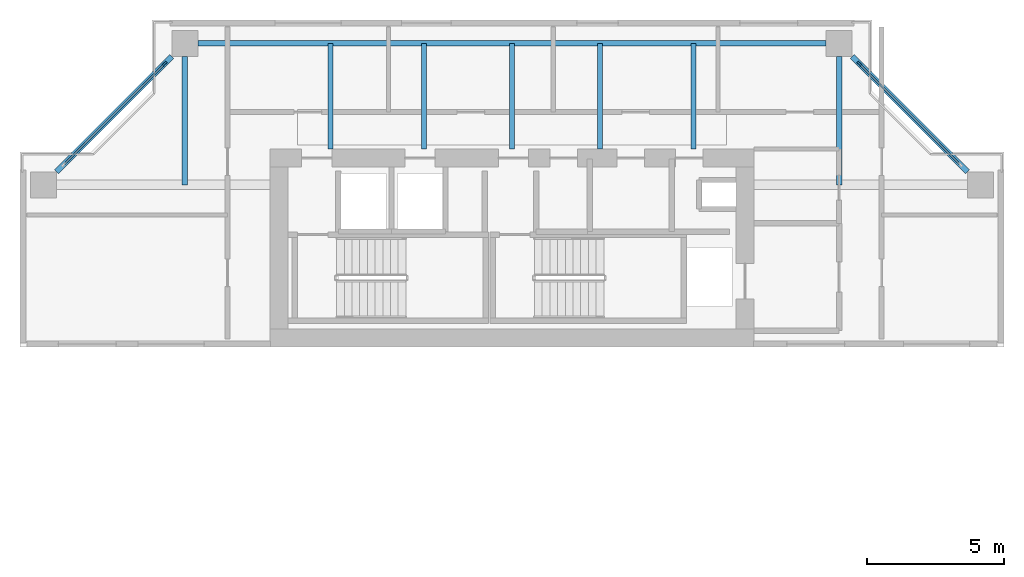
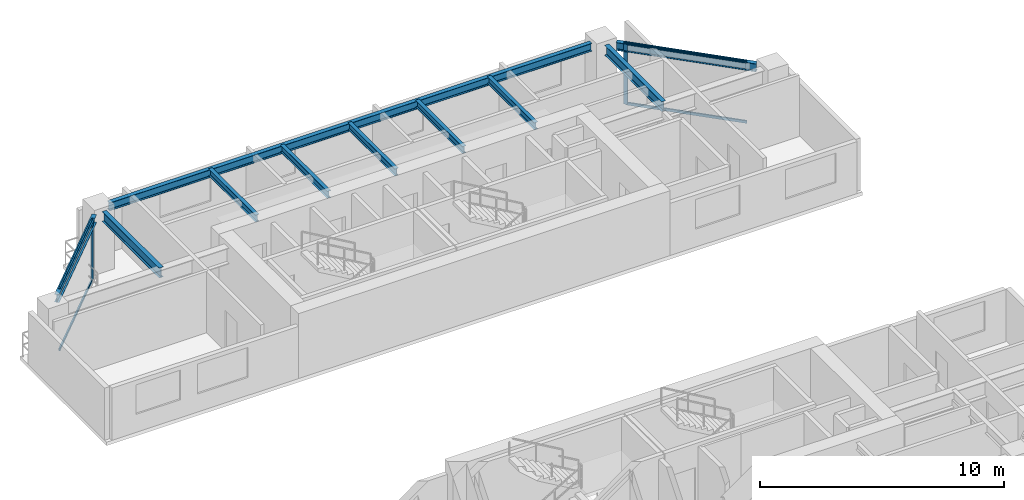
# One storey, part 5 of 12: 10 beams, 6 members, 2 elements without a shape of their own.
"""IFC4 building model written with IfcOpenShell, lengths in metres."""

from ifc_helpers import new_model, si_unit, direction, frame, origin, origin_2d, place, context, subcontext, project, spatial, rectangle, i_section, extrude, source, transform, mapped, material, layer, layer_set, material_profile, profile_set, type_object, element, aggregate, save


model = new_model("IFC4")

# Units and contexts
model_context = context("Model", 3, precision=1e-05, world=origin(), true_north=direction((0.0, 1.0)))
body_context = subcontext(model_context, "Body", "Model", "MODEL_VIEW")
ifc_project = project(units=[si_unit("LENGTHUNIT", "METRE"), si_unit("AREAUNIT", "SQUARE_METRE"), si_unit("VOLUMEUNIT", "CUBIC_METRE"), si_unit("PLANEANGLEUNIT", "RADIAN"), si_unit("MASSUNIT", "GRAM", prefix="KILO"), si_unit("THERMODYNAMICTEMPERATUREUNIT", "KELVIN"), si_unit("POWERUNIT", "WATT")], contexts=[model_context])

# Site, building, storey
site_placement = place(None, origin())
site = spatial("IfcSite", under=ifc_project, at=site_placement, CompositionType="ELEMENT")
building_placement = place(site_placement, origin())
building = spatial("IfcBuilding", under=site, at=building_placement, Name="Qiaomeng Ring Towers", CompositionType="ELEMENT")
storey_placement = place(building_placement, frame((0.0, 0.0, 166.5)))
storey = spatial("IfcBuildingStorey", under=building, at=storey_placement, Name="L48", CompositionType="ELEMENT", Elevation=166.5)

# Beams
ifc_material_1 = material(Name="Steel Q355B", Category="steel")
ifc_material_profile_1 = material_profile(ifc_material_1, i_section(OverallWidth=0.175048828125, OverallDepth=0.35009765625, WebThickness=0.007080078125, FlangeThickness=0.010986328125, FilletRadius=0.013916015625, at=origin_2d()), Name="HN 350x175x7x11")
ifc_profile_set_1 = profile_set([ifc_material_profile_1], Name="Steel Q355B")
beam_type_1 = type_object("IfcBeamType", Name="STR-BM-HN350", PredefinedType="JOIST", material=ifc_profile_set_1)
shared_shape_1 = source(origin(), body_context, "Body", "SweptSolid", [
    extrude(i_section(OverallWidth=0.175048828125, OverallDepth=0.35009765625, WebThickness=0.007080078125, FlangeThickness=0.010986328125, FilletRadius=0.013916015625, at=origin_2d()), origin(), (0.0, 0.0, 1.0), 3.85009765625),
])
for number, where, z_axis, x_axis, name in (
    (1, (12.39990234375, 36.199951171875, 2.89501953125), (0.0, 1.0, 0.0), (-1.0, 0.0, 0.0), "L48 beam STR-JST-L48-T1N-1"),
    (2, (15.800048828125, 36.199951171875, 2.89501953125), (0.0, 1.0, 0.0), (-1.0, 0.0, 0.0), "L48 beam STR-JST-L48-T1N-2"),
    (3, (19.0, 36.199951171875, 2.89501953125), (0.0, 1.0, 0.0), (-1.0, 0.0, 0.0), "L48 beam STR-JST-L48-T1N-3"),
    (4, (22.199951171875, 36.199951171875, 2.89501953125), (0.0, 1.0, 0.0), (-1.0, 0.0, 0.0), "L48 beam STR-JST-L48-T1N-4"),
    (5, (25.60009765625, 36.199951171875, 2.89501953125), (0.0, 1.0, 0.0), (-1.0, 0.0, 0.0), "L48 beam STR-JST-L48-T1N-5"),
):
    element("IfcBeam", number, at=place(storey_placement, frame(where, z_axis=z_axis, x_axis=x_axis)), inside=storey, type_object=beam_type_1, Name=name, PredefinedType="JOIST", context=body_context, shape_type="MappedRepresentation", body=[
        mapped(shared_shape_1, transform((0.0, 0.0, 0.0), x_axis=(1.0, 0.0, 0.0), y_axis=(0.0, 1.0, 0.0), z_axis=(0.0, 0.0, 1.0), scale=1.0)),
    ])
ifc_material_profile_2 = material_profile(ifc_material_1, i_section(OverallWidth=0.199951171875, OverallDepth=0.39990234375, WebThickness=0.008056640625, FlangeThickness=0.012939453125, FilletRadius=0.01611328125, at=origin_2d()), Name="HN 400x200x8x13")
ifc_profile_set_2 = profile_set([ifc_material_profile_2], Name="Steel Q355B")
beam_type_2 = type_object("IfcBeamType", Name="STR-BM-HN400", PredefinedType="SPANDREL", material=ifc_profile_set_2)
shared_shape_2 = source(origin(), body_context, "Body", "SweptSolid", [
    extrude(i_section(OverallWidth=0.199951171875, OverallDepth=0.39990234375, WebThickness=0.008056640625, FlangeThickness=0.012939453125, FilletRadius=0.01611328125, at=origin_2d()), origin(), (0.0, 0.0, 1.0), 22.85205078125),
])
beam_placement = place(storey_placement, frame((30.426025390625, 40.050048828125, 2.8701171875), z_axis=(-1.0, 0.0, 0.0), x_axis=(0.0, -1.0, 0.0)))
element("IfcBeam", 6, at=beam_placement, inside=storey, type_object=beam_type_2, Name="L48 beam STR-SP-L48-T1-N2-N1", PredefinedType="SPANDREL", context=body_context, shape_type="MappedRepresentation", body=[
    mapped(shared_shape_2, transform((0.0, 0.0, 0.0), x_axis=(1.0, 0.0, 0.0), y_axis=(0.0, 1.0, 0.0), z_axis=(0.0, 0.0, 1.0), scale=1.0)),
])
shared_shape_3 = source(origin(), body_context, "Body", "SweptSolid", [
    extrude(i_section(OverallWidth=0.199951171875, OverallDepth=0.39990234375, WebThickness=0.008056640625, FlangeThickness=0.012939453125, FilletRadius=0.01611328125, at=origin_2d()), origin(), (0.0, 0.0, 1.0), 5.941650390625),
])
for number, where, z_axis, x_axis, name in (
    (7, (35.57568359375, 35.374267578125, 2.8701171875), (-0.707106781187, 0.707106781187, 0.0), (-0.707106781187, -0.707106781187, 0.0), "L48 beam STR-SP-L48-T1-E4-N2"),
    (8, (6.625732421875, 39.57568359375, 2.8701171875), (-0.707106781187, -0.707106781187, 0.0), (0.707106781187, -0.707106781187, 0.0), "L48 beam STR-SP-L48-T1-N1-W4"),
):
    element("IfcBeam", number, at=place(storey_placement, frame(where, z_axis=z_axis, x_axis=x_axis)), inside=storey, type_object=beam_type_2, Name=name, PredefinedType="SPANDREL", context=body_context, shape_type="MappedRepresentation", body=[
        mapped(shared_shape_3, transform((0.0, 0.0, 0.0), x_axis=(1.0, 0.0, 0.0), y_axis=(0.0, 1.0, 0.0), z_axis=(0.0, 0.0, 1.0), scale=1.0)),
    ])
ifc_material_profile_3 = material_profile(ifc_material_1, i_section(OverallWidth=0.199951171875, OverallDepth=0.5, WebThickness=0.010009765625, FlangeThickness=0.01611328125, FilletRadius=0.02001953125, at=origin_2d()), Name="HN 500x200x10x16")
ifc_profile_set_3 = profile_set([ifc_material_profile_3], Name="Steel Q355B")
beam_type_3 = type_object("IfcBeamType", Name="STR-BM-HN500", PredefinedType="BEAM", material=ifc_profile_set_3)
shared_shape_4 = source(origin(), body_context, "Body", "SweptSolid", [
    extrude(i_section(OverallWidth=0.199951171875, OverallDepth=0.5, WebThickness=0.010009765625, FlangeThickness=0.01611328125, FilletRadius=0.02001953125, at=origin_2d()), origin(), (0.0, 0.0, 1.0), 4.676025390625),
])
for number, where, z_axis, x_axis, name in (
    (9, (7.10009765625, 39.575927734375, 2.820068359375), (0.0, -1.0, 0.0), (1.0, 0.0, 0.0), "L48 beam STR-BM-L48-T1-RAD-N1"),
    (10, (30.89990234375, 39.575927734375, 2.820068359375), (0.0, -1.0, 0.0), (1.0, 0.0, 0.0), "L48 beam STR-BM-L48-T1-RAD-N2"),
):
    element("IfcBeam", number, at=place(storey_placement, frame(where, z_axis=z_axis, x_axis=x_axis)), inside=storey, type_object=beam_type_3, Name=name, PredefinedType="BEAM", context=body_context, shape_type="MappedRepresentation", body=[
        mapped(shared_shape_4, transform((0.0, 0.0, 0.0), x_axis=(1.0, 0.0, 0.0), y_axis=(0.0, 1.0, 0.0), z_axis=(0.0, 0.0, 1.0), scale=1.0)),
    ])

# Curtain wall, member
ifc_material_2 = material(Name="Fluorocarbon dark-grey aluminium", Category="aluminium")
ifc_layer = layer(ifc_material_2, 0.14990234375, Name="Fluorocarbon dark-grey aluminium")
ifc_layer_set = layer_set([ifc_layer], Name="Fluorocarbon dark-grey aluminium")
curtain_wall_type = type_object("IfcCurtainWallType", Name="ARC-CW-3", PredefinedType="NOTDEFINED", material=ifc_layer_set)
curtain_wall_1_placement = place(storey_placement, origin())
curtain_wall_1 = element("IfcCurtainWall", 11, at=curtain_wall_1_placement, inside=storey, type_object=curtain_wall_type, Name="L48 Curtain Wall CW3", PredefinedType="NOTDEFINED")
ifc_material_profile_4 = material_profile(ifc_material_2, rectangle(XDim=0.070068359375, YDim=0.179931640625, at=origin_2d()), Name="ALU MULL 70x180")
ifc_profile_set_4 = profile_set([ifc_material_profile_4], Name="Fluorocarbon dark-grey aluminium")
member_type_1 = type_object("IfcMemberType", Name="ARC-CWM-160", PredefinedType="MULLION", material=ifc_profile_set_4)
shared_shape_5 = source(origin(), body_context, "Body", "SweptSolid", [
    extrude(rectangle(XDim=0.070068359375, YDim=0.179931640625, at=origin_2d()), origin(), (0.0, 0.0, 1.0), 3.070068359375),
])
member_1_placement = place(storey_placement, frame((31.6396484375, 39.310302734375, 0.0), z_axis=(0.0, 0.0, 1.0), x_axis=(-0.707106781187, -0.707106781187, 0.0)))
member_1 = element("IfcMember", 12, at=member_1_placement, type_object=member_type_1, Name="CW3 mullion 2", PredefinedType="MULLION", context=body_context, shape_type="MappedRepresentation", body=[
    mapped(shared_shape_5, transform((0.0, 0.0, 0.0), x_axis=(1.0, 0.0, 0.0), y_axis=(0.0, 1.0, 0.0), z_axis=(0.0, 0.0, 1.0), scale=1.0)),
])

curtain_wall_2_placement = place(storey_placement, origin())
curtain_wall_2 = element("IfcCurtainWall", 13, at=curtain_wall_2_placement, inside=storey, type_object=curtain_wall_type, Name="L48 Curtain Wall CW3", PredefinedType="NOTDEFINED")
member_2_placement = place(storey_placement, frame((6.3603515625, 39.310302734375, 0.0), z_axis=(0.0, 0.0, 1.0), x_axis=(0.707106781187, -0.707106781187, 0.0)))
member_2 = element("IfcMember", 14, at=member_2_placement, type_object=member_type_1, Name="CW3 mullion 1", PredefinedType="MULLION", context=body_context, shape_type="MappedRepresentation", body=[
    mapped(shared_shape_5, transform((0.0, 0.0, 0.0), x_axis=(1.0, 0.0, 0.0), y_axis=(0.0, 1.0, 0.0), z_axis=(0.0, 0.0, 1.0), scale=1.0)),
])

# Member
ifc_material_profile_5 = material_profile(ifc_material_2, rectangle(XDim=0.06494140625, YDim=0.1298828125, at=origin_2d()), Name="ALU TRAN 65x130")
ifc_profile_set_5 = profile_set([ifc_material_profile_5], Name="Fluorocarbon dark-grey aluminium")
member_type_2 = type_object("IfcMemberType", Name="ARC-CWT-120", PredefinedType="USERDEFINED", material=ifc_profile_set_5)
shared_shape_6 = source(origin(), body_context, "Body", "SweptSolid", [
    extrude(rectangle(XDim=0.06494140625, YDim=0.1298828125, at=origin_2d()), origin(), (0.0, 0.0, 1.0), 5.12060546875),
])
member_3_placement = place(storey_placement, frame((35.285400390625, 35.66455078125, 0.032470703125), z_axis=(-0.707106781187, 0.707106781187, 0.0), x_axis=(-0.707106781187, -0.707106781187, 0.0)))
member_3 = element("IfcMember", 15, at=member_3_placement, type_object=member_type_2, Name="CW3 transom 1.1", ObjectType="TRANSOM", PredefinedType="USERDEFINED", context=body_context, shape_type="MappedRepresentation", body=[
    mapped(shared_shape_6, transform((0.0, 0.0, 0.0), x_axis=(1.0, 0.0, 0.0), y_axis=(0.0, 1.0, 0.0), z_axis=(0.0, 0.0, 1.0), scale=1.0)),
])

member_4_placement = place(storey_placement, frame((35.285400390625, 35.66455078125, 3.03759765625), z_axis=(-0.707106781187, 0.707106781187, 0.0), x_axis=(-0.707106781187, -0.707106781187, 0.0)))
member_4 = element("IfcMember", 16, at=member_4_placement, type_object=member_type_2, Name="CW3 transom 1.2", ObjectType="TRANSOM", PredefinedType="USERDEFINED", context=body_context, shape_type="MappedRepresentation", body=[
    mapped(shared_shape_6, transform((0.0, 0.0, 0.0), x_axis=(1.0, 0.0, 0.0), y_axis=(0.0, 1.0, 0.0), z_axis=(0.0, 0.0, 1.0), scale=1.0)),
])

aggregate(curtain_wall_1, [member_1, member_3, member_4])

member_5_placement = place(storey_placement, frame((6.33544921875, 39.285400390625, 0.032470703125), z_axis=(-0.707106781187, -0.707106781187, 0.0), x_axis=(0.707106781187, -0.707106781187, 0.0)))
member_5 = element("IfcMember", 17, at=member_5_placement, type_object=member_type_2, Name="CW3 transom 1.1", ObjectType="TRANSOM", PredefinedType="USERDEFINED", context=body_context, shape_type="MappedRepresentation", body=[
    mapped(shared_shape_6, transform((0.0, 0.0, 0.0), x_axis=(1.0, 0.0, 0.0), y_axis=(0.0, 1.0, 0.0), z_axis=(0.0, 0.0, 1.0), scale=1.0)),
])

member_6_placement = place(storey_placement, frame((6.33544921875, 39.285400390625, 3.03759765625), z_axis=(-0.707106781187, -0.707106781187, 0.0), x_axis=(0.707106781187, -0.707106781187, 0.0)))
member_6 = element("IfcMember", 18, at=member_6_placement, type_object=member_type_2, Name="CW3 transom 1.2", ObjectType="TRANSOM", PredefinedType="USERDEFINED", context=body_context, shape_type="MappedRepresentation", body=[
    mapped(shared_shape_6, transform((0.0, 0.0, 0.0), x_axis=(1.0, 0.0, 0.0), y_axis=(0.0, 1.0, 0.0), z_axis=(0.0, 0.0, 1.0), scale=1.0)),
])

aggregate(curtain_wall_2, [member_2, member_5, member_6])

save(model, "model.ifc")
